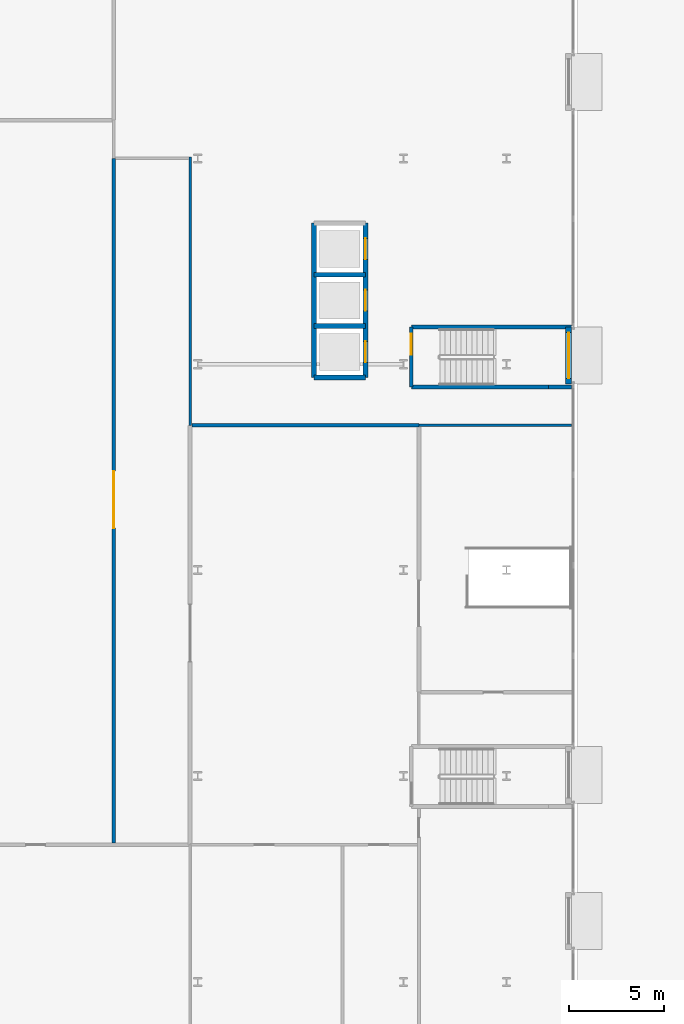
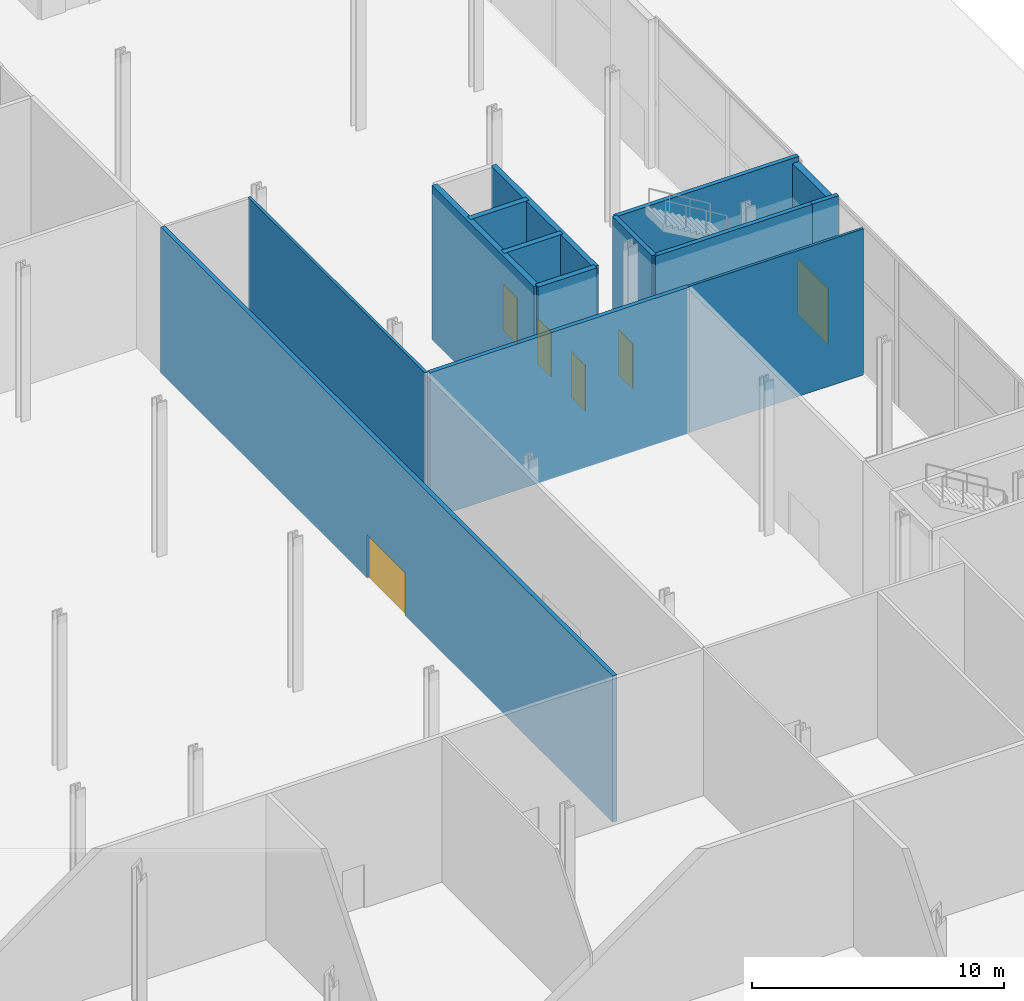
# One storey, part 29 of 46: 14 walls, 6 doors, 6 openings.
"""IFC4 building model written with IfcOpenShell, lengths in metres."""

import ifcopenshell
import ifcopenshell.guid

model = None  # the IFC model being written
_history = None  # IfcOwnerHistory: only IFC2X3 demands one
_inside = {}  # id of a spatial element -> (the spatial element, [elements in it])
_under = {}  # id of a project, library or spatial element -> (it, [spatial elements below it])
_declared = {}  # id of a project -> (the project, [libraries it declares])
_typed = {}  # id of a type object -> (the type object, [elements of that type])
_made_of = {}  # id of a material, layer set ... -> (it, [elements and type objects made of it])


def new_model(schema):
    """Start an empty IFC model of exactly this schema.

    Asked for "IFC4X3", IfcOpenShell would pick the latest addendum, in which some entities
    have other attributes; the version numbers below select the first issue.
    IFC2X3 requires an IfcOwnerHistory on every rooted entity: one is made here for all.
    """
    global model, _history
    if schema == "IFC4X3":
        model = ifcopenshell.file(schema_version=(4, 3, 0, 0))
    else:
        model = ifcopenshell.file(schema=schema)
    _inside.clear()
    _under.clear()
    _declared.clear()
    _typed.clear()
    _made_of.clear()
    _history = None
    if model.schema == "IFC2X3":
        org = make("IfcOrganization", Name="unknown")
        user = make(
            "IfcPersonAndOrganization",
            ThePerson=make("IfcPerson", FamilyName="unknown"),
            TheOrganization=org,
        )
        app = make(
            "IfcApplication",
            ApplicationDeveloper=org,
            Version="unknown",
            ApplicationFullName="unknown",
            ApplicationIdentifier="unknown",
        )
        _history = make(
            "IfcOwnerHistory",
            OwningUser=user,
            OwningApplication=app,
            ChangeAction="ADDED",
            CreationDate=0,
        )
    return model


def make(cls, **values):
    """One entity of the class cls with the attributes given. An attribute that is None is left unset."""
    return model.create_entity(
        cls, **{name: value for name, value in values.items() if value is not None}
    )


def rooted(cls, **values):
    """An entity with a GlobalId (a new one), such as an element, a storey or a relation."""
    return make(cls, GlobalId=ifcopenshell.guid.new(), OwnerHistory=_history, **values)


def si_unit(unit_type, name, prefix=None):
    """IfcSIUnit, for example si_unit("LENGTHUNIT", "METRE", prefix="MILLI")."""
    return make("IfcSIUnit", UnitType=unit_type, Prefix=prefix, Name=name)


def assignment(units):
    """IfcUnitAssignment: the units of a project."""
    return None if units is None else make("IfcUnitAssignment", Units=units)


def point(xyz):
    """IfcCartesianPoint."""
    return None if xyz is None else make("IfcCartesianPoint", Coordinates=xyz)


def direction(xyz):
    """IfcDirection."""
    return None if xyz is None else make("IfcDirection", DirectionRatios=xyz)


def frame(location, z_axis=None, x_axis=None):
    """IfcAxis2Placement3D, a coordinate frame: its origin and axes. An axis left out is left unset."""
    return make(
        "IfcAxis2Placement3D",
        Location=point(location),
        Axis=direction(z_axis),
        RefDirection=direction(x_axis),
    )


def frame_2d(location, x_axis=None):
    """IfcAxis2Placement2D, a coordinate frame in the plane: its origin and x axis."""
    return make(
        "IfcAxis2Placement2D", Location=point(location), RefDirection=direction(x_axis)
    )


def origin():
    """The frame at (0, 0, 0) with its axes left unset."""
    return frame((0.0, 0.0, 0.0))


def place(relative_to, where):
    """IfcLocalPlacement: puts the frame where relative to a parent placement (None: the world)."""
    return make(
        "IfcLocalPlacement", PlacementRelTo=relative_to, RelativePlacement=where
    )


def context(
    kind, dimensions, precision=None, world=None, true_north=None, identifier=None
):
    """IfcGeometricRepresentationContext, for example the 3D "Model" context."""
    return make(
        "IfcGeometricRepresentationContext",
        ContextIdentifier=identifier,
        ContextType=kind,
        CoordinateSpaceDimension=dimensions,
        Precision=precision,
        WorldCoordinateSystem=world,
        TrueNorth=true_north,
    )


def subcontext(parent, identifier, kind, view, scale=None):
    """IfcGeometricRepresentationSubContext, for example "Body" below "Model"."""
    return make(
        "IfcGeometricRepresentationSubContext",
        ContextIdentifier=identifier,
        ContextType=kind,
        ParentContext=parent,
        TargetScale=scale,
        TargetView=view,
    )


def project(units=None, contexts=None):
    """IfcProject with its units and contexts."""
    return rooted(
        "IfcProject",
        Name="project",
        RepresentationContexts=contexts,
        UnitsInContext=assignment(units),
    )


def spatial(cls, under=None, at=None, **own):
    """A site, building, storey or space (cls), placed at a placement, below another one or the project."""
    s = rooted(cls, ObjectPlacement=at, **own)
    if under is not None:
        _under.setdefault(under.id(), (under, []))[1].append(s)
    return s


def profile(cls, at=None, kind="AREA", **sizes):
    """A parametric profile (cls). Its sizes go by their IFC names, for example OverallWidth=200.0."""
    return make(cls, ProfileType=kind, Position=at, **sizes)


def rectangle(**sizes):
    """IfcRectangleProfileDef."""
    return profile("IfcRectangleProfileDef", **sizes)


def extrude(swept, where, along, depth):
    """IfcExtrudedAreaSolid: the profile swept, set in the frame where, extruded along a direction by depth."""
    return make(
        "IfcExtrudedAreaSolid",
        SweptArea=swept,
        Position=where,
        ExtrudedDirection=direction(along),
        Depth=depth,
    )


def shape(context_of_items, identifier, shape_type, items):
    """IfcShapeRepresentation: the items that make up one representation, for example the "Body"."""
    return make(
        "IfcShapeRepresentation",
        ContextOfItems=context_of_items,
        RepresentationIdentifier=identifier,
        RepresentationType=shape_type,
        Items=items,
    )


def source(mapping_origin, context_of_items, identifier, shape_type, items):
    """IfcRepresentationMap: a shape defined once, which mapped items show again and again."""
    return make(
        "IfcRepresentationMap",
        MappingOrigin=mapping_origin,
        MappedRepresentation=shape(context_of_items, identifier, shape_type, items),
    )


def transform(
    local_origin,
    x_axis=None,
    y_axis=None,
    z_axis=None,
    scale=None,
    scale2=None,
    scale3=None,
    uniform=True,
):
    """IfcCartesianTransformationOperator3D, or its non-uniform kind. x_axis, y_axis, z_axis: its Axis1, 2, 3."""
    if uniform:
        return make(
            "IfcCartesianTransformationOperator3D",
            Axis1=direction(x_axis),
            Axis2=direction(y_axis),
            LocalOrigin=point(local_origin),
            Scale=scale,
            Axis3=direction(z_axis),
        )
    return make(
        "IfcCartesianTransformationOperator3DnonUniform",
        Axis1=direction(x_axis),
        Axis2=direction(y_axis),
        LocalOrigin=point(local_origin),
        Scale=scale,
        Axis3=direction(z_axis),
        Scale2=scale2,
        Scale3=scale3,
    )


def mapped(mapping_source, mapping_target):
    """IfcMappedItem: shows the shape of a source again, moved by a transform."""
    return make(
        "IfcMappedItem", MappingSource=mapping_source, MappingTarget=mapping_target
    )


def material(Name=None, Category=None):
    """IfcMaterial."""
    return make("IfcMaterial", Name=Name, Category=Category)


def layer(
    of_material, thickness, ventilated=None, Name=None, Category=None, Priority=None
):
    """IfcMaterialLayer: one layer of a wall or slab, of a material (None: an air gap)."""
    return make(
        "IfcMaterialLayer",
        Material=of_material,
        LayerThickness=thickness,
        IsVentilated=ventilated,
        Name=Name,
        Category=Category,
        Priority=Priority,
    )


def layer_set(layers, Name=None):
    """IfcMaterialLayerSet."""
    return make("IfcMaterialLayerSet", MaterialLayers=layers, LayerSetName=Name)


def made_of(thing, what):
    """Note that an element or type object is made of a material, layer set ...; save() writes the relation."""
    if what is not None:
        _made_of.setdefault(what.id(), (what, []))[1].append(thing)
    return thing


def type_object(cls, material=None, **own):
    """A type object (cls), such as IfcWallType, which elements share."""
    return made_of(rooted(cls, **own), material)


def element(
    cls,
    number,
    at=None,
    inside=None,
    cuts=None,
    type_object=None,
    material=None,
    context=None,
    identifier="Body",
    shape_type=None,
    held_by="IfcProductDefinitionShape",
    body=None,
    shapes=None,
    **own,
):
    """One element of the class cls, such as IfcWall. Its Tag is "e" and its number.

    at: its placement. inside: the storey or other place that contains it. cuts: it is an
    opening in that element (IfcRelVoidsElement). A single representation is given by context,
    identifier, shape_type and body (its items); several are given by shapes. held_by: the class
    of the entity that holds the representations. save() writes the other relations.
    """
    e = rooted(cls, Tag="e%d" % number, ObjectPlacement=at, **own)
    if body is not None:
        shapes = [shape(context, identifier, shape_type, body)]
    if shapes is not None:
        e.Representation = make(held_by, Representations=shapes)
    if inside is not None:
        _inside.setdefault(inside.id(), (inside, []))[1].append(e)
    if cuts is not None:
        rooted(
            "IfcRelVoidsElement", RelatingBuildingElement=cuts, RelatedOpeningElement=e
        )
    if type_object is not None:
        _typed.setdefault(type_object.id(), (type_object, []))[1].append(e)
    return made_of(e, material)


def fill(opening, filler):
    """IfcRelFillsElement: the door or window that sits in an opening."""
    return rooted(
        "IfcRelFillsElement",
        RelatingOpeningElement=opening,
        RelatedBuildingElement=filler,
    )


def aggregate(whole, parts):
    """IfcRelAggregates: a whole, such as a stair, and the parts it consists of."""
    return rooted("IfcRelAggregates", RelatingObject=whole, RelatedObjects=parts)


def save(model, path):
    """Write the relations noted so far, then the file.

    IfcRelAggregates (storeys below a building ...), IfcRelContainedInSpatialStructure (elements
    in a storey), IfcRelDefinesByType, IfcRelAssociatesMaterial and IfcRelDeclares: one each for
    every whole, place, type object, material and project.
    """
    for whole, parts in _under.values():
        aggregate(whole, parts)
    for where, things in _inside.values():
        rooted(
            "IfcRelContainedInSpatialStructure",
            RelatedElements=things,
            RelatingStructure=where,
        )
    for kind, things in _typed.values():
        rooted("IfcRelDefinesByType", RelatedObjects=things, RelatingType=kind)
    for what, things in _made_of.values():
        rooted("IfcRelAssociatesMaterial", RelatedObjects=things, RelatingMaterial=what)
    for by, libraries in _declared.values():
        rooted("IfcRelDeclares", RelatingContext=by, RelatedDefinitions=libraries)
    model.write(path)


model = new_model("IFC4")

# Units and contexts
model_context = context("Model", 3, precision=1e-05, world=origin(), true_north=direction((0.0, 1.0)))
body_context = subcontext(model_context, "Body", "Model", "MODEL_VIEW")
ifc_project = project(units=[si_unit("LENGTHUNIT", "METRE"), si_unit("AREAUNIT", "SQUARE_METRE"), si_unit("VOLUMEUNIT", "CUBIC_METRE"), si_unit("PLANEANGLEUNIT", "RADIAN"), si_unit("MASSUNIT", "GRAM", prefix="KILO")], contexts=[model_context])

# Site, building, storey
site_placement = place(None, origin())
site = spatial("IfcSite", under=ifc_project, at=site_placement, CompositionType="ELEMENT")
building_placement = place(site_placement, origin())
building = spatial("IfcBuilding", under=site, at=building_placement, Name="Kheshtan School and Residences Tower", CompositionType="ELEMENT")
storey_placement = place(building_placement, origin())
storey = spatial("IfcBuildingStorey", under=building, at=storey_placement, Name="L00", CompositionType="ELEMENT", Elevation=0.0)

# Walls
ifc_material_1 = material(Name="Gypsum board on steel studs with mineral wool", Category="steel")
ifc_layer_1 = layer(ifc_material_1, 0.125)
ifc_layer_set_1 = layer_set([ifc_layer_1], Name="Acoustic partition 125")
wall_type_1 = type_object("IfcWallType", Name="Acoustic partition 125", PredefinedType="PARTITIONING", material=ifc_layer_set_1)
wall_1_placement = place(storey_placement, frame((112.0, 64.0, 0.0), z_axis=(0.0, 0.0, 1.0), x_axis=(0.0, 1.0, 0.0)))
element("IfcWall", 1, at=wall_1_placement, inside=storey, type_object=wall_type_1, Name="Partition L00-073", PredefinedType="PARTITIONING", context=body_context, shape_type="SweptSolid", body=[
    extrude(rectangle(XDim=14.06201171875, YDim=0.125, at=frame_2d((7.031005859375, 0.0))), origin(), (0.0, 0.0, 1.0), 7.080078125),
])
wall_2_placement = place(storey_placement, frame((124.0, 64.0, 0.0), z_axis=(0.0, 0.0, 1.0), x_axis=(1.0, 0.0, 0.0)))
element("IfcWall", 2, at=wall_2_placement, inside=storey, type_object=wall_type_1, Name="Partition L00-081", PredefinedType="PARTITIONING", context=body_context, shape_type="SweptSolid", body=[
    extrude(rectangle(XDim=8.0, YDim=0.125, at=frame_2d((4.0, 0.0))), origin(), (0.0, 0.0, 1.0), 7.080078125),
])

# Wall, opening, door
ifc_material_2 = material(Name="Gypsum board on steel studs with fire boards", Category="steel")
ifc_layer_2 = layer(ifc_material_2, 0.199951171875)
ifc_layer_set_2 = layer_set([ifc_layer_2], Name="Corridor wall 200")
wall_type_2 = type_object("IfcWallType", Name="Corridor wall 200", PredefinedType="PARTITIONING", material=ifc_layer_set_2)
wall_3_placement = place(storey_placement, frame((108.0, 42.10009765625, 0.0), z_axis=(0.0, 0.0, 1.0), x_axis=(0.0, 1.0, 0.0)))
wall_3 = element("IfcWall", 3, at=wall_3_placement, inside=storey, type_object=wall_type_2, Name="Partition L00-059", PredefinedType="PARTITIONING", context=body_context, shape_type="SweptSolid", body=[
    extrude(rectangle(XDim=35.89990234375, YDim=0.199951171875, at=frame_2d((17.949951171875, 0.0))), origin(), (0.0, 0.0, 1.0), 7.080078125),
])
opening_1_placement = place(wall_3_placement, frame((16.5, 0.0, 0.0)))
opening_1 = element("IfcOpeningElement", 4, at=opening_1_placement, cuts=wall_3, Name="Opening D00-002", PredefinedType="OPENING", context=body_context, shape_type="SweptSolid", body=[
    extrude(rectangle(XDim=3.0, YDim=2.10009765625, at=frame_2d((1.5, 1.050048828125))), frame((0.0, 0.10986328125, 0.0), z_axis=(0.0, -1.0, 0.0), x_axis=(1.0, 0.0, 0.0)), (0.0, 0.0, 1.0), 0.219970703125),
])
ifc_material_3 = material(Name="Steel-framed fire-resisting door leaf", Category="steel")
door_type_1 = type_object("IfcDoorType", Name="Fire double door FD60 3000 x 2100", OperationType="DOUBLE_DOOR_SINGLE_SWING", PredefinedType="DOOR", material=ifc_material_3)
shared_shape_1 = source(origin(), body_context, "Body", "SweptSolid", [
    extrude(rectangle(XDim=3.0, YDim=2.10009765625, at=frame_2d((1.5, 1.050048828125))), frame((0.0, 0.02490234375, 0.0), z_axis=(0.0, -1.0, 0.0), x_axis=(1.0, 0.0, 0.0)), (0.0, 0.0, 1.0), 0.050048828125),
])
door_1_placement = place(opening_1_placement, origin())
door_1 = element("IfcDoor", 5, at=door_1_placement, inside=storey, type_object=door_type_1, Name="Door D00-002", OperationType="DOUBLE_DOOR_SINGLE_SWING", OverallHeight=2.10009765625, OverallWidth=3.0, PredefinedType="DOOR", context=body_context, shape_type="MappedRepresentation", body=[
    mapped(shared_shape_1, transform((0.0, 0.0, 0.0), x_axis=(1.0, 0.0, 0.0), y_axis=(0.0, 1.0, 0.0), z_axis=(0.0, 0.0, 1.0), scale=1.0)),
])
fill(opening_1, door_1)

# Wall
wall_4_placement = place(storey_placement, frame((112.10009765625, 64.0, 0.0), z_axis=(0.0, 0.0, 1.0), x_axis=(1.0, 0.0, 0.0)))
element("IfcWall", 6, at=wall_4_placement, inside=storey, type_object=wall_type_2, Name="Partition L00-074", PredefinedType="PARTITIONING", context=body_context, shape_type="SweptSolid", body=[
    extrude(rectangle(XDim=11.89990234375, YDim=0.199951171875, at=frame_2d((5.949951171875, 0.0))), origin(), (0.0, 0.0, 1.0), 7.080078125),
])

# Wall, opening, door
ifc_material_4 = material(Name="Concrete C40/50 with ceramic cladding and mineral wool insulation", Category="concrete")
ifc_layer_3 = layer(ifc_material_4, 0.300048828125)
ifc_layer_set_3 = layer_set([ifc_layer_3], Name="Podium external wall 300")
wall_type_3 = type_object("IfcWallType", Name="Podium external wall 300", PredefinedType="SOLIDWALL", material=ifc_layer_set_3)
wall_5_placement = place(storey_placement, frame((131.85009765625, 69.159912109375, 0.0), z_axis=(0.0, 0.0, 1.0), x_axis=(0.0, -1.0, 0.0)))
wall_5 = element("IfcWall", 7, at=wall_5_placement, inside=storey, type_object=wall_type_3, Name="Podium external wall L00 8.3", PredefinedType="SOLIDWALL", context=body_context, shape_type="SweptSolid", body=[
    extrude(rectangle(XDim=3.0, YDim=0.300048828125, at=frame_2d((1.5, 0.0))), origin(), (0.0, 0.0, 1.0), 7.25),
])
opening_2_placement = place(wall_5_placement, frame((0.300048828125, 0.0, 0.0)))
opening_2 = element("IfcOpeningElement", 8, at=opening_2_placement, cuts=wall_5, Name="Opening ED", PredefinedType="OPENING", context=body_context, shape_type="SweptSolid", body=[
    extrude(rectangle(XDim=2.39990234375, YDim=2.699951171875, at=frame_2d((1.199951171875, 1.35009765625))), frame((0.0, 0.16015625, 0.0), z_axis=(0.0, -1.0, 0.0), x_axis=(1.0, 0.0, 0.0)), (0.0, 0.0, 1.0), 0.320068359375),
])
ifc_material_5 = material(Name="Clear low-e glass in thermally broken aluminium frame", Category="aluminium")
door_type_2 = type_object("IfcDoorType", Name="Entrance double door", OperationType="DOUBLE_DOOR_SINGLE_SWING", PredefinedType="DOOR", material=ifc_material_5)
shared_shape_2 = source(origin(), body_context, "Body", "SweptSolid", [
    extrude(rectangle(XDim=2.39990234375, YDim=2.699951171875, at=frame_2d((1.199951171875, 1.35009765625))), frame((0.0, 0.02490234375, 0.0), z_axis=(0.0, -1.0, 0.0), x_axis=(1.0, 0.0, 0.0)), (0.0, 0.0, 1.0), 0.050048828125),
])
door_2_placement = place(opening_2_placement, origin())
door_2 = element("IfcDoor", 9, at=door_2_placement, inside=storey, type_object=door_type_2, Name="Entrance door 8.3", OperationType="DOUBLE_DOOR_SINGLE_SWING", OverallHeight=2.699951171875, OverallWidth=2.39990234375, PredefinedType="DOOR", context=body_context, shape_type="MappedRepresentation", body=[
    mapped(shared_shape_2, transform((0.0, 0.0, 0.0), x_axis=(1.0, 0.0, 0.0), y_axis=(0.0, 1.0, 0.0), z_axis=(0.0, 0.0, 1.0), scale=1.0)),
])
fill(opening_2, door_2)

# Wall
ifc_material_6 = material(Name="Fire-board shaft wall system")
ifc_layer_4 = layer(ifc_material_6, 0.25)
ifc_layer_set_4 = layer_set([ifc_layer_4], Name="Shaft lining wall 250")
wall_type_4 = type_object("IfcWallType", Name="Shaft lining wall 250", PredefinedType="PARTITIONING", material=ifc_layer_set_4)
wall_6_placement = place(storey_placement, frame((118.5, 66.5, 0.0), z_axis=(0.0, 0.0, 1.0), x_axis=(0.0, 1.0, 0.0)))
element("IfcWall", 10, at=wall_6_placement, inside=storey, type_object=wall_type_4, Name="Shaft lining wall", PredefinedType="PARTITIONING", context=body_context, shape_type="SweptSolid", body=[
    extrude(rectangle(XDim=8.10009765625, YDim=0.25, at=frame_2d((4.050048828125, 0.0))), origin(), (0.0, 0.0, 1.0), 7.5),
])

# Wall, openings, doors
wall_7_placement = place(storey_placement, frame((121.199951171875, 66.5, 0.0), z_axis=(0.0, 0.0, 1.0), x_axis=(0.0, 1.0, 0.0)))
wall_7 = element("IfcWall", 11, at=wall_7_placement, inside=storey, type_object=wall_type_4, Name="Shaft lining wall", PredefinedType="PARTITIONING", context=body_context, shape_type="SweptSolid", body=[
    extrude(rectangle(XDim=8.10009765625, YDim=0.25, at=frame_2d((4.050048828125, 0.0))), origin(), (0.0, 0.0, 1.0), 7.5),
])
opening_3_placement = place(wall_7_placement, frame((0.800048828125, 0.0, 0.0)))
opening_3 = element("IfcOpeningElement", 12, at=opening_3_placement, cuts=wall_7, Name="Opening LD", PredefinedType="OPENING", context=body_context, shape_type="SweptSolid", body=[
    extrude(rectangle(XDim=1.10009765625, YDim=2.199951171875, at=frame_2d((0.550048828125, 1.10009765625))), frame((0.0, 0.135009765625, 0.0), z_axis=(0.0, -1.0, 0.0), x_axis=(1.0, 0.0, 0.0)), (0.0, 0.0, 1.0), 0.27001953125),
])
opening_4_placement = place(wall_7_placement, frame((3.5, 0.0, 0.0)))
opening_4 = element("IfcOpeningElement", 13, at=opening_4_placement, cuts=wall_7, Name="Opening LD", PredefinedType="OPENING", context=body_context, shape_type="SweptSolid", body=[
    extrude(rectangle(XDim=1.10009765625, YDim=2.199951171875, at=frame_2d((0.550048828125, 1.10009765625))), frame((0.0, 0.135009765625, 0.0), z_axis=(0.0, -1.0, 0.0), x_axis=(1.0, 0.0, 0.0)), (0.0, 0.0, 1.0), 0.27001953125),
])
opening_5_placement = place(wall_7_placement, frame((6.199951171875, 0.0, 0.0)))
opening_5 = element("IfcOpeningElement", 14, at=opening_5_placement, cuts=wall_7, Name="Opening LD", PredefinedType="OPENING", context=body_context, shape_type="SweptSolid", body=[
    extrude(rectangle(XDim=1.10009765625, YDim=2.199951171875, at=frame_2d((0.550048828125, 1.10009765625))), frame((0.0, 0.135009765625, 0.0), z_axis=(0.0, -1.0, 0.0), x_axis=(1.0, 0.0, 0.0)), (0.0, 0.0, 1.0), 0.27001953125),
])
ifc_material_7 = material(Name="Stainless steel door leaves", Category="steel")
door_type_3 = type_object("IfcDoorType", Name="Lift landing door 1100", OperationType="SLIDING_TO_LEFT", PredefinedType="DOOR", material=ifc_material_7)
shared_shape_3 = source(origin(), body_context, "Body", "SweptSolid", [
    extrude(rectangle(XDim=1.10009765625, YDim=2.199951171875, at=frame_2d((0.550048828125, 1.10009765625))), frame((0.0, 0.02490234375, 0.0), z_axis=(0.0, -1.0, 0.0), x_axis=(1.0, 0.0, 0.0)), (0.0, 0.0, 1.0), 0.050048828125),
])
door_3_placement = place(opening_3_placement, origin())
door_3 = element("IfcDoor", 15, at=door_3_placement, inside=storey, type_object=door_type_3, Name="Lift SCL1 landing door", OperationType="SLIDING_TO_LEFT", OverallHeight=2.199951171875, OverallWidth=1.10009765625, PredefinedType="DOOR", context=body_context, shape_type="MappedRepresentation", body=[
    mapped(shared_shape_3, transform((0.0, 0.0, 0.0), x_axis=(1.0, 0.0, 0.0), y_axis=(0.0, 1.0, 0.0), z_axis=(0.0, 0.0, 1.0), scale=1.0)),
])
fill(opening_3, door_3)
door_4_placement = place(opening_4_placement, origin())
door_4 = element("IfcDoor", 16, at=door_4_placement, inside=storey, type_object=door_type_3, Name="Lift SCL2 landing door", OperationType="SLIDING_TO_LEFT", OverallHeight=2.199951171875, OverallWidth=1.10009765625, PredefinedType="DOOR", context=body_context, shape_type="MappedRepresentation", body=[
    mapped(shared_shape_3, transform((0.0, 0.0, 0.0), x_axis=(1.0, 0.0, 0.0), y_axis=(0.0, 1.0, 0.0), z_axis=(0.0, 0.0, 1.0), scale=1.0)),
])
fill(opening_4, door_4)
door_5_placement = place(opening_5_placement, origin())
door_5 = element("IfcDoor", 17, at=door_5_placement, inside=storey, type_object=door_type_3, Name="Lift SCL3 landing door", OperationType="SLIDING_TO_LEFT", OverallHeight=2.199951171875, OverallWidth=1.10009765625, PredefinedType="DOOR", context=body_context, shape_type="MappedRepresentation", body=[
    mapped(shared_shape_3, transform((0.0, 0.0, 0.0), x_axis=(1.0, 0.0, 0.0), y_axis=(0.0, 1.0, 0.0), z_axis=(0.0, 0.0, 1.0), scale=1.0)),
])
fill(opening_5, door_5)

# Walls
for number, where, z_axis, x_axis, name in (
    (18, (118.5, 66.5, 0.0), (0.0, 0.0, 1.0), (1.0, 0.0, 0.0), "Shaft lining wall"),
    (19, (118.5, 69.199951171875, 0.0), (0.0, 0.0, 1.0), (1.0, 0.0, 0.0), "Shaft lining wall"),
    (20, (118.5, 71.89990234375, 0.0), (0.0, 0.0, 1.0), (1.0, 0.0, 0.0), "Shaft lining wall"),
):
    element("IfcWall", number, at=place(storey_placement, frame(where, z_axis=z_axis, x_axis=x_axis)), inside=storey, type_object=wall_type_4, Name=name, PredefinedType="PARTITIONING", context=body_context, shape_type="SweptSolid", body=[
        extrude(rectangle(XDim=2.699951171875, YDim=0.25, at=frame_2d((1.35009765625, 0.0))), origin(), (0.0, 0.0, 1.0), 7.5),
    ])
ifc_material_8 = material(Name="Concrete C40/50", Category="concrete")
ifc_layer_5 = layer(ifc_material_8, 0.199951171875)
ifc_layer_set_5 = layer_set([ifc_layer_5], Name="Stair enclosure wall 200 Concrete C40/50")
wall_type_5 = type_object("IfcWallType", Name="Stair enclosure wall 200 Concrete C40/50", PredefinedType="SHEAR", material=ifc_layer_set_5)
wall_8_placement = place(storey_placement, frame((123.60009765625, 66.0, 0.0), z_axis=(0.0, 0.0, 1.0), x_axis=(1.0, 0.0, 0.0)))
element("IfcWall", 21, at=wall_8_placement, inside=storey, type_object=wall_type_5, Name="Stair enclosure wall", PredefinedType="SHEAR", context=body_context, shape_type="SweptSolid", body=[
    extrude(rectangle(XDim=7.199951171875, YDim=0.199951171875, at=frame_2d((3.60009765625, 0.0))), origin(), (0.0, 0.0, 1.0), 7.5),
])
wall_9_placement = place(storey_placement, frame((130.800048828125, 66.0, 0.0), z_axis=(0.0, 0.0, 1.0), x_axis=(1.0, 0.0, 0.0)))
element("IfcWall", 22, at=wall_9_placement, inside=storey, type_object=wall_type_5, Name="Stair enclosure wall", PredefinedType="SHEAR", context=body_context, shape_type="SweptSolid", body=[
    extrude(rectangle(XDim=1.199951171875, YDim=0.199951171875, at=frame_2d((0.60009765625, 0.0))), origin(), (0.0, 0.0, 1.0), 7.5),
])
wall_10_placement = place(storey_placement, frame((123.60009765625, 69.14990234375, 0.0), z_axis=(0.0, 0.0, 1.0), x_axis=(1.0, 0.0, 0.0)))
element("IfcWall", 23, at=wall_10_placement, inside=storey, type_object=wall_type_5, Name="Stair enclosure wall", PredefinedType="SHEAR", context=body_context, shape_type="SweptSolid", body=[
    extrude(rectangle(XDim=8.39990234375, YDim=0.199951171875, at=frame_2d((4.199951171875, 0.0))), origin(), (0.0, 0.0, 1.0), 7.5),
])

# Wall, opening, door
wall_11_placement = place(storey_placement, frame((123.60009765625, 66.0, 0.0), z_axis=(0.0, 0.0, 1.0), x_axis=(0.0, 1.0, 0.0)))
wall_11 = element("IfcWall", 24, at=wall_11_placement, inside=storey, type_object=wall_type_5, Name="Stair enclosure wall", PredefinedType="SHEAR", context=body_context, shape_type="SweptSolid", body=[
    extrude(rectangle(XDim=3.14990234375, YDim=0.199951171875, at=frame_2d((1.574951171875, 0.0))), origin(), (0.0, 0.0, 1.0), 7.5),
])
opening_6_placement = place(wall_11_placement, frame((1.699951171875, 0.0, 0.0)))
opening_6 = element("IfcOpeningElement", 25, at=opening_6_placement, cuts=wall_11, Name="Opening SD90", PredefinedType="OPENING", context=body_context, shape_type="SweptSolid", body=[
    extrude(rectangle(XDim=1.10009765625, YDim=2.199951171875, at=frame_2d((0.550048828125, 1.10009765625))), frame((0.0, 0.10986328125, 0.0), z_axis=(0.0, -1.0, 0.0), x_axis=(1.0, 0.0, 0.0)), (0.0, 0.0, 1.0), 0.219970703125),
])
ifc_material_9 = material(Name="Steel door leaf, galvanised", Category="steel")
door_type_4 = type_object("IfcDoorType", Name="Stair door 1100 steel 90 min", OperationType="SINGLE_SWING_LEFT", PredefinedType="DOOR", material=ifc_material_9)
shared_shape_4 = source(origin(), body_context, "Body", "SweptSolid", [
    extrude(rectangle(XDim=1.10009765625, YDim=2.199951171875, at=frame_2d((0.550048828125, 1.10009765625))), frame((0.0, 0.02490234375, 0.0), z_axis=(0.0, -1.0, 0.0), x_axis=(1.0, 0.0, 0.0)), (0.0, 0.0, 1.0), 0.050048828125),
])
door_6_placement = place(opening_6_placement, origin())
door_6 = element("IfcDoor", 26, at=door_6_placement, inside=storey, type_object=door_type_4, Name="Stair door", OperationType="SINGLE_SWING_LEFT", OverallHeight=2.199951171875, OverallWidth=1.10009765625, PredefinedType="DOOR", context=body_context, shape_type="MappedRepresentation", body=[
    mapped(shared_shape_4, transform((0.0, 0.0, 0.0), x_axis=(1.0, 0.0, 0.0), y_axis=(0.0, 1.0, 0.0), z_axis=(0.0, 0.0, 1.0), scale=1.0)),
])
fill(opening_6, door_6)

save(model, "model.ifc")
